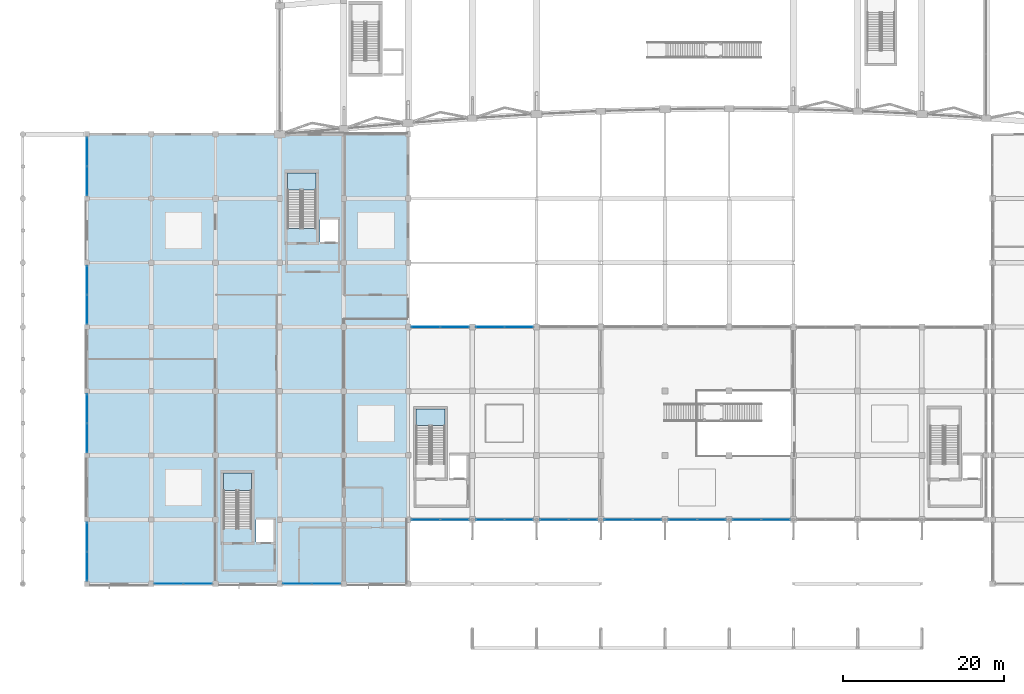
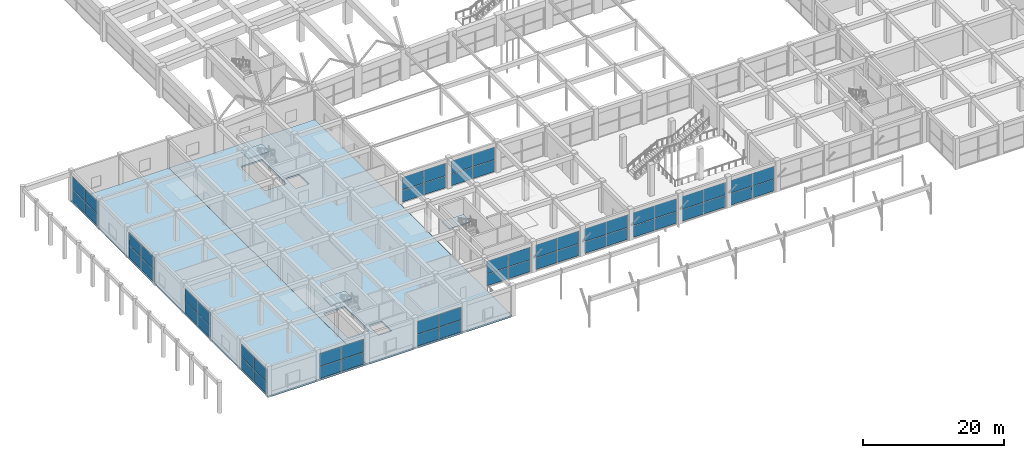
# One storey, part 41 of 69: 56 plates, 5 slabs, 17 elements without a shape of their own.
"""IFC4 building model written with IfcOpenShell, lengths in metres."""

from ifc_helpers import new_model, si_unit, direction, frame, origin, origin_2d, place, context, subcontext, project, spatial, polyline, rectangle, outline, extrude, material, layer, layer_set, type_object, element, aggregate, save


model = new_model("IFC4")

# Units and contexts
model_context = context("Model", 3, precision=1e-05, world=origin(), true_north=direction((0.0, 1.0)))
body_context = subcontext(model_context, "Body", "Model", "MODEL_VIEW")
ifc_project = project(units=[si_unit("LENGTHUNIT", "METRE"), si_unit("AREAUNIT", "SQUARE_METRE"), si_unit("VOLUMEUNIT", "CUBIC_METRE"), si_unit("PLANEANGLEUNIT", "RADIAN"), si_unit("MASSUNIT", "GRAM", prefix="KILO")], contexts=[model_context])

# Site, building, storey
site_placement = place(None, origin())
site = spatial("IfcSite", under=ifc_project, at=site_placement, CompositionType="ELEMENT")
building_placement = place(site_placement, origin())
building = spatial("IfcBuilding", under=site, at=building_placement, Name="Kenh Van Central Station", CompositionType="ELEMENT")
storey_placement = place(building_placement, frame((0.0, 0.0, 5.39990234375)))
storey = spatial("IfcBuildingStorey", under=building, at=storey_placement, Name="L01", CompositionType="ELEMENT", Elevation=5.39990234375)

# Curtain wall, plates
ifc_material_1 = material(Name="Champagne anodised aluminium", Category="aluminium")
curtain_wall_type_1 = type_object("IfcCurtainWallType", Name="CW-RETL-B", PredefinedType="NOTDEFINED", material=ifc_material_1)
curtain_wall_1_placement = place(storey_placement, origin())
curtain_wall_1 = element("IfcCurtainWall", 1, at=curtain_wall_1_placement, inside=storey, type_object=curtain_wall_type_1, Name="L01 curtain wall 124", PredefinedType="NOTDEFINED")
ifc_material_2 = material(Name="Double-glazed low-E laminated solar glass", Category="glass")
ifc_layer_1 = layer(ifc_material_2, 0.02392578125, Name="Double-glazed low-E laminated solar glass")
ifc_layer_set_1 = layer_set([ifc_layer_1], Name="Double-glazed low-E laminated solar glass")
plate_type_1 = type_object("IfcPlateType", Name="CWP-IGU-24", PredefinedType="CURTAIN_PANEL", material=ifc_layer_set_1)
plate_1_placement = place(storey_placement, frame((18.177490234375, 8.0, 0.072021484375), z_axis=(0.0, 0.0, 1.0), x_axis=(1.0, 0.0, 0.0)))
plate_1 = element("IfcPlate", 2, at=plate_1_placement, type_object=plate_type_1, Name="CW-06 panel 1.1", PredefinedType="CURTAIN_PANEL", context=body_context, shape_type="SweptSolid", body=[
    extrude(rectangle(XDim=3.534912109375, YDim=0.02392578125, at=origin_2d()), origin(), (0.0, 0.0, 1.0), 2.044921875),
])
plate_2_placement = place(storey_placement, frame((18.177490234375, 8.0, 2.18896484375), z_axis=(0.0, 0.0, 1.0), x_axis=(1.0, 0.0, 0.0)))
plate_2 = element("IfcPlate", 3, at=plate_2_placement, type_object=plate_type_1, Name="CW-06 panel 1.2", PredefinedType="CURTAIN_PANEL", context=body_context, shape_type="SweptSolid", body=[
    extrude(rectangle(XDim=3.534912109375, YDim=0.02392578125, at=origin_2d()), origin(), (0.0, 0.0, 1.0), 2.22412109375),
])
plate_3_placement = place(storey_placement, frame((21.797607421875, 8.0, 0.072021484375), z_axis=(0.0, 0.0, 1.0), x_axis=(1.0, 0.0, 0.0)))
plate_3 = element("IfcPlate", 4, at=plate_3_placement, type_object=plate_type_1, Name="CW-06 panel 2.1", PredefinedType="CURTAIN_PANEL", context=body_context, shape_type="SweptSolid", body=[
    extrude(rectangle(XDim=3.534912109375, YDim=0.02392578125, at=origin_2d()), origin(), (0.0, 0.0, 1.0), 2.044921875),
])
plate_4_placement = place(storey_placement, frame((21.797607421875, 8.0, 2.18896484375), z_axis=(0.0, 0.0, 1.0), x_axis=(1.0, 0.0, 0.0)))
plate_4 = element("IfcPlate", 5, at=plate_4_placement, type_object=plate_type_1, Name="CW-06 panel 2.2", PredefinedType="CURTAIN_PANEL", context=body_context, shape_type="SweptSolid", body=[
    extrude(rectangle(XDim=3.534912109375, YDim=0.02392578125, at=origin_2d()), origin(), (0.0, 0.0, 1.0), 2.22412109375),
])
aggregate(curtain_wall_1, [plate_1, plate_2, plate_3, plate_4])

curtain_wall_2_placement = place(storey_placement, origin())
curtain_wall_2 = element("IfcCurtainWall", 6, at=curtain_wall_2_placement, inside=storey, type_object=curtain_wall_type_1, Name="L01 curtain wall 125", PredefinedType="NOTDEFINED")
plate_5_placement = place(storey_placement, frame((34.1962890625, 8.0, 0.072265625), z_axis=(0.0, 0.0, 1.0), x_axis=(1.0, 0.0, 0.0)))
plate_5 = element("IfcPlate", 7, at=plate_5_placement, type_object=plate_type_1, Name="CW-06 panel 1.1", PredefinedType="CURTAIN_PANEL", context=body_context, shape_type="SweptSolid", body=[
    extrude(rectangle(XDim=3.5224609375, YDim=0.02392578125, at=origin_2d()), origin(), (0.0, 0.0, 1.0), 2.023193359375),
])
plate_6_placement = place(storey_placement, frame((34.1962890625, 8.0, 2.167236328125), z_axis=(0.0, 0.0, 1.0), x_axis=(1.0, 0.0, 0.0)))
plate_6 = element("IfcPlate", 8, at=plate_6_placement, type_object=plate_type_1, Name="CW-06 panel 1.2", PredefinedType="CURTAIN_PANEL", context=body_context, shape_type="SweptSolid", body=[
    extrude(rectangle(XDim=3.5224609375, YDim=0.02392578125, at=origin_2d()), origin(), (0.0, 0.0, 1.0), 2.20068359375),
])
plate_7_placement = place(storey_placement, frame((37.8037109375, 8.0, 0.072265625), z_axis=(0.0, 0.0, 1.0), x_axis=(1.0, 0.0, 0.0)))
plate_7 = element("IfcPlate", 9, at=plate_7_placement, type_object=plate_type_1, Name="CW-06 panel 2.1", PredefinedType="CURTAIN_PANEL", context=body_context, shape_type="SweptSolid", body=[
    extrude(rectangle(XDim=3.5224609375, YDim=0.02392578125, at=origin_2d()), origin(), (0.0, 0.0, 1.0), 2.023193359375),
])
plate_8_placement = place(storey_placement, frame((37.8037109375, 8.0, 2.167236328125), z_axis=(0.0, 0.0, 1.0), x_axis=(1.0, 0.0, 0.0)))
plate_8 = element("IfcPlate", 10, at=plate_8_placement, type_object=plate_type_1, Name="CW-06 panel 2.2", PredefinedType="CURTAIN_PANEL", context=body_context, shape_type="SweptSolid", body=[
    extrude(rectangle(XDim=3.5224609375, YDim=0.02392578125, at=origin_2d()), origin(), (0.0, 0.0, 1.0), 2.20068359375),
])
aggregate(curtain_wall_2, [plate_5, plate_6, plate_7, plate_8])

curtain_wall_type_2 = type_object("IfcCurtainWallType", Name="CW-RETL-A", PredefinedType="NOTDEFINED", material=ifc_material_1)
curtain_wall_3_placement = place(storey_placement, origin())
curtain_wall_3 = element("IfcCurtainWall", 11, at=curtain_wall_3_placement, inside=storey, type_object=curtain_wall_type_2, Name="L01 curtain wall 126", PredefinedType="NOTDEFINED")
ifc_layer_2 = layer(ifc_material_2, 0.02587890625, Name="Double-glazed low-E laminated solar glass")
ifc_layer_set_2 = layer_set([ifc_layer_2], Name="Double-glazed low-E laminated solar glass")
plate_type_2 = type_object("IfcPlateType", Name="CWP-IGU-26", PredefinedType="CURTAIN_PANEL", material=ifc_layer_set_2)
plate_9_placement = place(storey_placement, frame((8.0, 61.816162109375, 0.072021484375), z_axis=(0.0, 0.0, 1.0), x_axis=(0.0, -1.0, 0.0)))
plate_9 = element("IfcPlate", 12, at=plate_9_placement, type_object=plate_type_2, Name="CW-05 panel 1.1", PredefinedType="CURTAIN_PANEL", context=body_context, shape_type="SweptSolid", body=[
    extrude(rectangle(XDim=3.547607421875, YDim=0.02587890625, at=origin_2d()), origin(), (0.0, 0.0, 1.0), 2.04248046875),
])
plate_10_placement = place(storey_placement, frame((8.0, 61.816162109375, 2.1865234375), z_axis=(0.0, 0.0, 1.0), x_axis=(0.0, -1.0, 0.0)))
plate_10 = element("IfcPlate", 13, at=plate_10_placement, type_object=plate_type_2, Name="CW-05 panel 1.2", PredefinedType="CURTAIN_PANEL", context=body_context, shape_type="SweptSolid", body=[
    extrude(rectangle(XDim=3.547607421875, YDim=0.02587890625, at=origin_2d()), origin(), (0.0, 0.0, 1.0), 2.2216796875),
])
plate_11_placement = place(storey_placement, frame((8.0, 58.183837890625, 0.072021484375), z_axis=(0.0, 0.0, 1.0), x_axis=(0.0, -1.0, 0.0)))
plate_11 = element("IfcPlate", 14, at=plate_11_placement, type_object=plate_type_2, Name="CW-05 panel 2.1", PredefinedType="CURTAIN_PANEL", context=body_context, shape_type="SweptSolid", body=[
    extrude(rectangle(XDim=3.547607421875, YDim=0.02587890625, at=origin_2d()), origin(), (0.0, 0.0, 1.0), 2.04248046875),
])
plate_12_placement = place(storey_placement, frame((8.0, 58.183837890625, 2.1865234375), z_axis=(0.0, 0.0, 1.0), x_axis=(0.0, -1.0, 0.0)))
plate_12 = element("IfcPlate", 15, at=plate_12_placement, type_object=plate_type_2, Name="CW-05 panel 2.2", PredefinedType="CURTAIN_PANEL", context=body_context, shape_type="SweptSolid", body=[
    extrude(rectangle(XDim=3.547607421875, YDim=0.02587890625, at=origin_2d()), origin(), (0.0, 0.0, 1.0), 2.2216796875),
])
aggregate(curtain_wall_3, [plate_9, plate_10, plate_11, plate_12])

curtain_wall_4_placement = place(storey_placement, origin())
curtain_wall_4 = element("IfcCurtainWall", 16, at=curtain_wall_4_placement, inside=storey, type_object=curtain_wall_type_2, Name="L01 curtain wall 127", PredefinedType="NOTDEFINED")
plate_13_placement = place(storey_placement, frame((8.0, 45.816162109375, 0.072021484375), z_axis=(0.0, 0.0, 1.0), x_axis=(0.0, -1.0, 0.0)))
plate_13 = element("IfcPlate", 17, at=plate_13_placement, type_object=plate_type_2, Name="CW-05 panel 1.1", PredefinedType="CURTAIN_PANEL", context=body_context, shape_type="SweptSolid", body=[
    extrude(rectangle(XDim=3.547607421875, YDim=0.02587890625, at=origin_2d()), origin(), (0.0, 0.0, 1.0), 2.044921875),
])
plate_14_placement = place(storey_placement, frame((8.0, 45.816162109375, 2.18896484375), z_axis=(0.0, 0.0, 1.0), x_axis=(0.0, -1.0, 0.0)))
plate_14 = element("IfcPlate", 18, at=plate_14_placement, type_object=plate_type_2, Name="CW-05 panel 1.2", PredefinedType="CURTAIN_PANEL", context=body_context, shape_type="SweptSolid", body=[
    extrude(rectangle(XDim=3.547607421875, YDim=0.02587890625, at=origin_2d()), origin(), (0.0, 0.0, 1.0), 2.22412109375),
])
plate_15_placement = place(storey_placement, frame((8.0, 42.183837890625, 0.072021484375), z_axis=(0.0, 0.0, 1.0), x_axis=(0.0, -1.0, 0.0)))
plate_15 = element("IfcPlate", 19, at=plate_15_placement, type_object=plate_type_2, Name="CW-05 panel 2.1", PredefinedType="CURTAIN_PANEL", context=body_context, shape_type="SweptSolid", body=[
    extrude(rectangle(XDim=3.547607421875, YDim=0.02587890625, at=origin_2d()), origin(), (0.0, 0.0, 1.0), 2.044921875),
])
plate_16_placement = place(storey_placement, frame((8.0, 42.183837890625, 2.18896484375), z_axis=(0.0, 0.0, 1.0), x_axis=(0.0, -1.0, 0.0)))
plate_16 = element("IfcPlate", 20, at=plate_16_placement, type_object=plate_type_2, Name="CW-05 panel 2.2", PredefinedType="CURTAIN_PANEL", context=body_context, shape_type="SweptSolid", body=[
    extrude(rectangle(XDim=3.547607421875, YDim=0.02587890625, at=origin_2d()), origin(), (0.0, 0.0, 1.0), 2.22412109375),
])
aggregate(curtain_wall_4, [plate_13, plate_14, plate_15, plate_16])

curtain_wall_5_placement = place(storey_placement, origin())
curtain_wall_5 = element("IfcCurtainWall", 21, at=curtain_wall_5_placement, inside=storey, type_object=curtain_wall_type_2, Name="L01 curtain wall 128", PredefinedType="NOTDEFINED")
plate_17_placement = place(storey_placement, frame((8.0, 29.816162109375, 0.072021484375), z_axis=(0.0, 0.0, 1.0), x_axis=(0.0, -1.0, 0.0)))
plate_17 = element("IfcPlate", 22, at=plate_17_placement, type_object=plate_type_2, Name="CW-05 panel 1.1", PredefinedType="CURTAIN_PANEL", context=body_context, shape_type="SweptSolid", body=[
    extrude(rectangle(XDim=3.547607421875, YDim=0.02587890625, at=origin_2d()), origin(), (0.0, 0.0, 1.0), 2.044921875),
])
plate_18_placement = place(storey_placement, frame((8.0, 29.816162109375, 2.18896484375), z_axis=(0.0, 0.0, 1.0), x_axis=(0.0, -1.0, 0.0)))
plate_18 = element("IfcPlate", 23, at=plate_18_placement, type_object=plate_type_2, Name="CW-05 panel 1.2", PredefinedType="CURTAIN_PANEL", context=body_context, shape_type="SweptSolid", body=[
    extrude(rectangle(XDim=3.547607421875, YDim=0.02587890625, at=origin_2d()), origin(), (0.0, 0.0, 1.0), 2.22412109375),
])
plate_19_placement = place(storey_placement, frame((8.0, 26.183837890625, 0.072021484375), z_axis=(0.0, 0.0, 1.0), x_axis=(0.0, -1.0, 0.0)))
plate_19 = element("IfcPlate", 24, at=plate_19_placement, type_object=plate_type_2, Name="CW-05 panel 2.1", PredefinedType="CURTAIN_PANEL", context=body_context, shape_type="SweptSolid", body=[
    extrude(rectangle(XDim=3.547607421875, YDim=0.02587890625, at=origin_2d()), origin(), (0.0, 0.0, 1.0), 2.044921875),
])
plate_20_placement = place(storey_placement, frame((8.0, 26.183837890625, 2.18896484375), z_axis=(0.0, 0.0, 1.0), x_axis=(0.0, -1.0, 0.0)))
plate_20 = element("IfcPlate", 25, at=plate_20_placement, type_object=plate_type_2, Name="CW-05 panel 2.2", PredefinedType="CURTAIN_PANEL", context=body_context, shape_type="SweptSolid", body=[
    extrude(rectangle(XDim=3.547607421875, YDim=0.02587890625, at=origin_2d()), origin(), (0.0, 0.0, 1.0), 2.22412109375),
])
aggregate(curtain_wall_5, [plate_17, plate_18, plate_19, plate_20])

curtain_wall_6_placement = place(storey_placement, origin())
curtain_wall_6 = element("IfcCurtainWall", 26, at=curtain_wall_6_placement, inside=storey, type_object=curtain_wall_type_2, Name="L01 curtain wall 129", PredefinedType="NOTDEFINED")
plate_21_placement = place(storey_placement, frame((8.0, 13.816162109375, 0.072021484375), z_axis=(0.0, 0.0, 1.0), x_axis=(0.0, -1.0, 0.0)))
plate_21 = element("IfcPlate", 27, at=plate_21_placement, type_object=plate_type_2, Name="CW-05 panel 1.1", PredefinedType="CURTAIN_PANEL", context=body_context, shape_type="SweptSolid", body=[
    extrude(rectangle(XDim=3.547607421875, YDim=0.02587890625, at=origin_2d()), origin(), (0.0, 0.0, 1.0), 2.044921875),
])
plate_22_placement = place(storey_placement, frame((8.0, 13.816162109375, 2.18896484375), z_axis=(0.0, 0.0, 1.0), x_axis=(0.0, -1.0, 0.0)))
plate_22 = element("IfcPlate", 28, at=plate_22_placement, type_object=plate_type_2, Name="CW-05 panel 1.2", PredefinedType="CURTAIN_PANEL", context=body_context, shape_type="SweptSolid", body=[
    extrude(rectangle(XDim=3.547607421875, YDim=0.02587890625, at=origin_2d()), origin(), (0.0, 0.0, 1.0), 2.22412109375),
])
plate_23_placement = place(storey_placement, frame((8.0, 10.183837890625, 0.072021484375), z_axis=(0.0, 0.0, 1.0), x_axis=(0.0, -1.0, 0.0)))
plate_23 = element("IfcPlate", 29, at=plate_23_placement, type_object=plate_type_2, Name="CW-05 panel 2.1", PredefinedType="CURTAIN_PANEL", context=body_context, shape_type="SweptSolid", body=[
    extrude(rectangle(XDim=3.547607421875, YDim=0.02587890625, at=origin_2d()), origin(), (0.0, 0.0, 1.0), 2.044921875),
])
plate_24_placement = place(storey_placement, frame((8.0, 10.183837890625, 2.18896484375), z_axis=(0.0, 0.0, 1.0), x_axis=(0.0, -1.0, 0.0)))
plate_24 = element("IfcPlate", 30, at=plate_24_placement, type_object=plate_type_2, Name="CW-05 panel 2.2", PredefinedType="CURTAIN_PANEL", context=body_context, shape_type="SweptSolid", body=[
    extrude(rectangle(XDim=3.547607421875, YDim=0.02587890625, at=origin_2d()), origin(), (0.0, 0.0, 1.0), 2.22412109375),
])
aggregate(curtain_wall_6, [plate_21, plate_22, plate_23, plate_24])

curtain_wall_type_3 = type_object("IfcCurtainWallType", Name="CW-CONC-B", PredefinedType="NOTDEFINED", material=ifc_material_1)
curtain_wall_7_placement = place(storey_placement, origin())
curtain_wall_7 = element("IfcCurtainWall", 31, at=curtain_wall_7_placement, inside=storey, type_object=curtain_wall_type_3, Name="L01 curtain wall 119", PredefinedType="NOTDEFINED")
ifc_layer_3 = layer(ifc_material_2, 0.028076171875, Name="Double-glazed low-E laminated solar glass")
ifc_layer_set_3 = layer_set([ifc_layer_3], Name="Double-glazed low-E laminated solar glass")
plate_type_3 = type_object("IfcPlateType", Name="CWP-IGU-28", PredefinedType="CURTAIN_PANEL", material=ifc_layer_set_3)
plate_25_placement = place(storey_placement, frame((61.7919921875, 40.0, 0.072265625), z_axis=(0.0, 0.0, 1.0), x_axis=(-1.0, 0.0, 0.0)))
plate_25 = element("IfcPlate", 32, at=plate_25_placement, type_object=plate_type_3, Name="CW-04 panel 1.1", PredefinedType="CURTAIN_PANEL", context=body_context, shape_type="SweptSolid", body=[
    extrude(rectangle(XDim=3.501953125, YDim=0.028076171875, at=origin_2d()), origin(), (0.0, 0.0, 1.0), 2.018310546875),
])
plate_26_placement = place(storey_placement, frame((61.7919921875, 40.0, 2.16259765625), z_axis=(0.0, 0.0, 1.0), x_axis=(-1.0, 0.0, 0.0)))
plate_26 = element("IfcPlate", 33, at=plate_26_placement, type_object=plate_type_3, Name="CW-04 panel 1.2", PredefinedType="CURTAIN_PANEL", context=body_context, shape_type="SweptSolid", body=[
    extrude(rectangle(XDim=3.501953125, YDim=0.028076171875, at=origin_2d()), origin(), (0.0, 0.0, 1.0), 2.195556640625),
])
plate_27_placement = place(storey_placement, frame((58.2080078125, 40.0, 0.072265625), z_axis=(0.0, 0.0, 1.0), x_axis=(-1.0, 0.0, 0.0)))
plate_27 = element("IfcPlate", 34, at=plate_27_placement, type_object=plate_type_3, Name="CW-04 panel 2.1", PredefinedType="CURTAIN_PANEL", context=body_context, shape_type="SweptSolid", body=[
    extrude(rectangle(XDim=3.501953125, YDim=0.028076171875, at=origin_2d()), origin(), (0.0, 0.0, 1.0), 2.018310546875),
])
plate_28_placement = place(storey_placement, frame((58.2080078125, 40.0, 2.16259765625), z_axis=(0.0, 0.0, 1.0), x_axis=(-1.0, 0.0, 0.0)))
plate_28 = element("IfcPlate", 35, at=plate_28_placement, type_object=plate_type_3, Name="CW-04 panel 2.2", PredefinedType="CURTAIN_PANEL", context=body_context, shape_type="SweptSolid", body=[
    extrude(rectangle(XDim=3.501953125, YDim=0.028076171875, at=origin_2d()), origin(), (0.0, 0.0, 1.0), 2.195556640625),
])
aggregate(curtain_wall_7, [plate_25, plate_26, plate_27, plate_28])

curtain_wall_8_placement = place(storey_placement, origin())
curtain_wall_8 = element("IfcCurtainWall", 36, at=curtain_wall_8_placement, inside=storey, type_object=curtain_wall_type_3, Name="L01 curtain wall 120", PredefinedType="NOTDEFINED")
plate_29_placement = place(storey_placement, frame((53.78564453125, 40.0, 0.072265625), z_axis=(0.0, 0.0, 1.0), x_axis=(-1.0, 0.0, 0.0)))
plate_29 = element("IfcPlate", 37, at=plate_29_placement, type_object=plate_type_3, Name="CW-04 panel 1.1", PredefinedType="CURTAIN_PANEL", context=body_context, shape_type="SweptSolid", body=[
    extrude(rectangle(XDim=3.514404296875, YDim=0.028076171875, at=origin_2d()), origin(), (0.0, 0.0, 1.0), 2.018310546875),
])
plate_30_placement = place(storey_placement, frame((53.78564453125, 40.0, 2.16259765625), z_axis=(0.0, 0.0, 1.0), x_axis=(-1.0, 0.0, 0.0)))
plate_30 = element("IfcPlate", 38, at=plate_30_placement, type_object=plate_type_3, Name="CW-04 panel 1.2", PredefinedType="CURTAIN_PANEL", context=body_context, shape_type="SweptSolid", body=[
    extrude(rectangle(XDim=3.514404296875, YDim=0.028076171875, at=origin_2d()), origin(), (0.0, 0.0, 1.0), 2.195556640625),
])
plate_31_placement = place(storey_placement, frame((50.189208984375, 40.0, 0.072265625), z_axis=(0.0, 0.0, 1.0), x_axis=(-1.0, 0.0, 0.0)))
plate_31 = element("IfcPlate", 39, at=plate_31_placement, type_object=plate_type_3, Name="CW-04 panel 2.1", PredefinedType="CURTAIN_PANEL", context=body_context, shape_type="SweptSolid", body=[
    extrude(rectangle(XDim=3.514404296875, YDim=0.028076171875, at=origin_2d()), origin(), (0.0, 0.0, 1.0), 2.018310546875),
])
plate_32_placement = place(storey_placement, frame((50.189208984375, 40.0, 2.16259765625), z_axis=(0.0, 0.0, 1.0), x_axis=(-1.0, 0.0, 0.0)))
plate_32 = element("IfcPlate", 40, at=plate_32_placement, type_object=plate_type_3, Name="CW-04 panel 2.2", PredefinedType="CURTAIN_PANEL", context=body_context, shape_type="SweptSolid", body=[
    extrude(rectangle(XDim=3.514404296875, YDim=0.028076171875, at=origin_2d()), origin(), (0.0, 0.0, 1.0), 2.195556640625),
])
aggregate(curtain_wall_8, [plate_29, plate_30, plate_31, plate_32])

curtain_wall_type_4 = type_object("IfcCurtainWallType", Name="CW-CONC-A", PredefinedType="NOTDEFINED", material=ifc_material_1)
curtain_wall_9_placement = place(storey_placement, origin())
curtain_wall_9 = element("IfcCurtainWall", 41, at=curtain_wall_9_placement, inside=storey, type_object=curtain_wall_type_4, Name="L01 curtain wall 103", PredefinedType="NOTDEFINED")
ifc_layer_4 = layer(ifc_material_2, 0.030029296875, Name="Double-glazed low-E laminated solar glass")
ifc_layer_set_4 = layer_set([ifc_layer_4], Name="Double-glazed low-E laminated solar glass")
plate_type_4 = type_object("IfcPlateType", Name="CWP-IGU-30", PredefinedType="CURTAIN_PANEL", material=ifc_layer_set_4)
plate_33_placement = place(storey_placement, frame((50.189208984375, 16.0, 0.072265625), z_axis=(0.0, 0.0, 1.0), x_axis=(1.0, 0.0, 0.0)))
plate_33 = element("IfcPlate", 42, at=plate_33_placement, type_object=plate_type_4, Name="CW-03 panel 1.1", PredefinedType="CURTAIN_PANEL", context=body_context, shape_type="SweptSolid", body=[
    extrude(rectangle(XDim=3.514404296875, YDim=0.030029296875, at=origin_2d()), origin(), (0.0, 0.0, 1.0), 2.018310546875),
])
plate_34_placement = place(storey_placement, frame((50.189208984375, 16.0, 2.16259765625), z_axis=(0.0, 0.0, 1.0), x_axis=(1.0, 0.0, 0.0)))
plate_34 = element("IfcPlate", 43, at=plate_34_placement, type_object=plate_type_4, Name="CW-03 panel 1.2", PredefinedType="CURTAIN_PANEL", context=body_context, shape_type="SweptSolid", body=[
    extrude(rectangle(XDim=3.514404296875, YDim=0.030029296875, at=origin_2d()), origin(), (0.0, 0.0, 1.0), 2.195556640625),
])
plate_35_placement = place(storey_placement, frame((53.78564453125, 16.0, 0.072265625), z_axis=(0.0, 0.0, 1.0), x_axis=(1.0, 0.0, 0.0)))
plate_35 = element("IfcPlate", 44, at=plate_35_placement, type_object=plate_type_4, Name="CW-03 panel 2.1", PredefinedType="CURTAIN_PANEL", context=body_context, shape_type="SweptSolid", body=[
    extrude(rectangle(XDim=3.514404296875, YDim=0.030029296875, at=origin_2d()), origin(), (0.0, 0.0, 1.0), 2.018310546875),
])
plate_36_placement = place(storey_placement, frame((53.78564453125, 16.0, 2.16259765625), z_axis=(0.0, 0.0, 1.0), x_axis=(1.0, 0.0, 0.0)))
plate_36 = element("IfcPlate", 45, at=plate_36_placement, type_object=plate_type_4, Name="CW-03 panel 2.2", PredefinedType="CURTAIN_PANEL", context=body_context, shape_type="SweptSolid", body=[
    extrude(rectangle(XDim=3.514404296875, YDim=0.030029296875, at=origin_2d()), origin(), (0.0, 0.0, 1.0), 2.195556640625),
])
aggregate(curtain_wall_9, [plate_33, plate_34, plate_35, plate_36])

curtain_wall_10_placement = place(storey_placement, origin())
curtain_wall_10 = element("IfcCurtainWall", 46, at=curtain_wall_10_placement, inside=storey, type_object=curtain_wall_type_4, Name="L01 curtain wall 104", PredefinedType="NOTDEFINED")
plate_37_placement = place(storey_placement, frame((58.2080078125, 16.0, 0.072265625), z_axis=(0.0, 0.0, 1.0), x_axis=(1.0, 0.0, 0.0)))
plate_37 = element("IfcPlate", 47, at=plate_37_placement, type_object=plate_type_4, Name="CW-03 panel 1.1", PredefinedType="CURTAIN_PANEL", context=body_context, shape_type="SweptSolid", body=[
    extrude(rectangle(XDim=3.501953125, YDim=0.030029296875, at=origin_2d()), origin(), (0.0, 0.0, 1.0), 2.018310546875),
])
plate_38_placement = place(storey_placement, frame((58.2080078125, 16.0, 2.16259765625), z_axis=(0.0, 0.0, 1.0), x_axis=(1.0, 0.0, 0.0)))
plate_38 = element("IfcPlate", 48, at=plate_38_placement, type_object=plate_type_4, Name="CW-03 panel 1.2", PredefinedType="CURTAIN_PANEL", context=body_context, shape_type="SweptSolid", body=[
    extrude(rectangle(XDim=3.501953125, YDim=0.030029296875, at=origin_2d()), origin(), (0.0, 0.0, 1.0), 2.195556640625),
])
plate_39_placement = place(storey_placement, frame((61.7919921875, 16.0, 0.072265625), z_axis=(0.0, 0.0, 1.0), x_axis=(1.0, 0.0, 0.0)))
plate_39 = element("IfcPlate", 49, at=plate_39_placement, type_object=plate_type_4, Name="CW-03 panel 2.1", PredefinedType="CURTAIN_PANEL", context=body_context, shape_type="SweptSolid", body=[
    extrude(rectangle(XDim=3.501953125, YDim=0.030029296875, at=origin_2d()), origin(), (0.0, 0.0, 1.0), 2.018310546875),
])
plate_40_placement = place(storey_placement, frame((61.7919921875, 16.0, 2.16259765625), z_axis=(0.0, 0.0, 1.0), x_axis=(1.0, 0.0, 0.0)))
plate_40 = element("IfcPlate", 50, at=plate_40_placement, type_object=plate_type_4, Name="CW-03 panel 2.2", PredefinedType="CURTAIN_PANEL", context=body_context, shape_type="SweptSolid", body=[
    extrude(rectangle(XDim=3.501953125, YDim=0.030029296875, at=origin_2d()), origin(), (0.0, 0.0, 1.0), 2.195556640625),
])
aggregate(curtain_wall_10, [plate_37, plate_38, plate_39, plate_40])

curtain_wall_11_placement = place(storey_placement, origin())
curtain_wall_11 = element("IfcCurtainWall", 51, at=curtain_wall_11_placement, inside=storey, type_object=curtain_wall_type_4, Name="L01 curtain wall 105", PredefinedType="NOTDEFINED")
plate_41_placement = place(storey_placement, frame((66.2080078125, 16.0, 0.072265625), z_axis=(0.0, 0.0, 1.0), x_axis=(1.0, 0.0, 0.0)))
plate_41 = element("IfcPlate", 52, at=plate_41_placement, type_object=plate_type_4, Name="CW-03 panel 1.1", PredefinedType="CURTAIN_PANEL", context=body_context, shape_type="SweptSolid", body=[
    extrude(rectangle(XDim=3.501953125, YDim=0.030029296875, at=origin_2d()), origin(), (0.0, 0.0, 1.0), 2.018310546875),
])
plate_42_placement = place(storey_placement, frame((66.2080078125, 16.0, 2.16259765625), z_axis=(0.0, 0.0, 1.0), x_axis=(1.0, 0.0, 0.0)))
plate_42 = element("IfcPlate", 53, at=plate_42_placement, type_object=plate_type_4, Name="CW-03 panel 1.2", PredefinedType="CURTAIN_PANEL", context=body_context, shape_type="SweptSolid", body=[
    extrude(rectangle(XDim=3.501953125, YDim=0.030029296875, at=origin_2d()), origin(), (0.0, 0.0, 1.0), 2.195556640625),
])
plate_43_placement = place(storey_placement, frame((69.7919921875, 16.0, 0.072265625), z_axis=(0.0, 0.0, 1.0), x_axis=(1.0, 0.0, 0.0)))
plate_43 = element("IfcPlate", 54, at=plate_43_placement, type_object=plate_type_4, Name="CW-03 panel 2.1", PredefinedType="CURTAIN_PANEL", context=body_context, shape_type="SweptSolid", body=[
    extrude(rectangle(XDim=3.501953125, YDim=0.030029296875, at=origin_2d()), origin(), (0.0, 0.0, 1.0), 2.018310546875),
])
plate_44_placement = place(storey_placement, frame((69.7919921875, 16.0, 2.16259765625), z_axis=(0.0, 0.0, 1.0), x_axis=(1.0, 0.0, 0.0)))
plate_44 = element("IfcPlate", 55, at=plate_44_placement, type_object=plate_type_4, Name="CW-03 panel 2.2", PredefinedType="CURTAIN_PANEL", context=body_context, shape_type="SweptSolid", body=[
    extrude(rectangle(XDim=3.501953125, YDim=0.030029296875, at=origin_2d()), origin(), (0.0, 0.0, 1.0), 2.195556640625),
])
aggregate(curtain_wall_11, [plate_41, plate_42, plate_43, plate_44])

curtain_wall_12_placement = place(storey_placement, origin())
curtain_wall_12 = element("IfcCurtainWall", 56, at=curtain_wall_12_placement, inside=storey, type_object=curtain_wall_type_4, Name="L01 curtain wall 106", PredefinedType="NOTDEFINED")
plate_45_placement = place(storey_placement, frame((74.2080078125, 16.0, 0.072265625), z_axis=(0.0, 0.0, 1.0), x_axis=(1.0, 0.0, 0.0)))
plate_45 = element("IfcPlate", 57, at=plate_45_placement, type_object=plate_type_4, Name="CW-03 panel 1.1", PredefinedType="CURTAIN_PANEL", context=body_context, shape_type="SweptSolid", body=[
    extrude(rectangle(XDim=3.501953125, YDim=0.030029296875, at=origin_2d()), origin(), (0.0, 0.0, 1.0), 2.018310546875),
])
plate_46_placement = place(storey_placement, frame((74.2080078125, 16.0, 2.16259765625), z_axis=(0.0, 0.0, 1.0), x_axis=(1.0, 0.0, 0.0)))
plate_46 = element("IfcPlate", 58, at=plate_46_placement, type_object=plate_type_4, Name="CW-03 panel 1.2", PredefinedType="CURTAIN_PANEL", context=body_context, shape_type="SweptSolid", body=[
    extrude(rectangle(XDim=3.501953125, YDim=0.030029296875, at=origin_2d()), origin(), (0.0, 0.0, 1.0), 2.195556640625),
])
plate_47_placement = place(storey_placement, frame((77.7919921875, 16.0, 0.072265625), z_axis=(0.0, 0.0, 1.0), x_axis=(1.0, 0.0, 0.0)))
plate_47 = element("IfcPlate", 59, at=plate_47_placement, type_object=plate_type_4, Name="CW-03 panel 2.1", PredefinedType="CURTAIN_PANEL", context=body_context, shape_type="SweptSolid", body=[
    extrude(rectangle(XDim=3.501953125, YDim=0.030029296875, at=origin_2d()), origin(), (0.0, 0.0, 1.0), 2.018310546875),
])
plate_48_placement = place(storey_placement, frame((77.7919921875, 16.0, 2.16259765625), z_axis=(0.0, 0.0, 1.0), x_axis=(1.0, 0.0, 0.0)))
plate_48 = element("IfcPlate", 60, at=plate_48_placement, type_object=plate_type_4, Name="CW-03 panel 2.2", PredefinedType="CURTAIN_PANEL", context=body_context, shape_type="SweptSolid", body=[
    extrude(rectangle(XDim=3.501953125, YDim=0.030029296875, at=origin_2d()), origin(), (0.0, 0.0, 1.0), 2.195556640625),
])
aggregate(curtain_wall_12, [plate_45, plate_46, plate_47, plate_48])

curtain_wall_13_placement = place(storey_placement, origin())
curtain_wall_13 = element("IfcCurtainWall", 61, at=curtain_wall_13_placement, inside=storey, type_object=curtain_wall_type_4, Name="L01 curtain wall 107", PredefinedType="NOTDEFINED")
plate_49_placement = place(storey_placement, frame((82.2080078125, 16.0, 0.072265625), z_axis=(0.0, 0.0, 1.0), x_axis=(1.0, 0.0, 0.0)))
plate_49 = element("IfcPlate", 62, at=plate_49_placement, type_object=plate_type_4, Name="CW-03 panel 1.1", PredefinedType="CURTAIN_PANEL", context=body_context, shape_type="SweptSolid", body=[
    extrude(rectangle(XDim=3.501953125, YDim=0.030029296875, at=origin_2d()), origin(), (0.0, 0.0, 1.0), 2.018310546875),
])
plate_50_placement = place(storey_placement, frame((82.2080078125, 16.0, 2.16259765625), z_axis=(0.0, 0.0, 1.0), x_axis=(1.0, 0.0, 0.0)))
plate_50 = element("IfcPlate", 63, at=plate_50_placement, type_object=plate_type_4, Name="CW-03 panel 1.2", PredefinedType="CURTAIN_PANEL", context=body_context, shape_type="SweptSolid", body=[
    extrude(rectangle(XDim=3.501953125, YDim=0.030029296875, at=origin_2d()), origin(), (0.0, 0.0, 1.0), 2.195556640625),
])
plate_51_placement = place(storey_placement, frame((85.7919921875, 16.0, 0.072265625), z_axis=(0.0, 0.0, 1.0), x_axis=(1.0, 0.0, 0.0)))
plate_51 = element("IfcPlate", 64, at=plate_51_placement, type_object=plate_type_4, Name="CW-03 panel 2.1", PredefinedType="CURTAIN_PANEL", context=body_context, shape_type="SweptSolid", body=[
    extrude(rectangle(XDim=3.501953125, YDim=0.030029296875, at=origin_2d()), origin(), (0.0, 0.0, 1.0), 2.018310546875),
])
plate_52_placement = place(storey_placement, frame((85.7919921875, 16.0, 2.16259765625), z_axis=(0.0, 0.0, 1.0), x_axis=(1.0, 0.0, 0.0)))
plate_52 = element("IfcPlate", 65, at=plate_52_placement, type_object=plate_type_4, Name="CW-03 panel 2.2", PredefinedType="CURTAIN_PANEL", context=body_context, shape_type="SweptSolid", body=[
    extrude(rectangle(XDim=3.501953125, YDim=0.030029296875, at=origin_2d()), origin(), (0.0, 0.0, 1.0), 2.195556640625),
])
aggregate(curtain_wall_13, [plate_49, plate_50, plate_51, plate_52])

curtain_wall_14_placement = place(storey_placement, origin())
curtain_wall_14 = element("IfcCurtainWall", 66, at=curtain_wall_14_placement, inside=storey, type_object=curtain_wall_type_4, Name="L01 curtain wall 108", PredefinedType="NOTDEFINED")
plate_53_placement = place(storey_placement, frame((90.2080078125, 16.0, 0.072265625), z_axis=(0.0, 0.0, 1.0), x_axis=(1.0, 0.0, 0.0)))
plate_53 = element("IfcPlate", 67, at=plate_53_placement, type_object=plate_type_4, Name="CW-03 panel 1.1", PredefinedType="CURTAIN_PANEL", context=body_context, shape_type="SweptSolid", body=[
    extrude(rectangle(XDim=3.501953125, YDim=0.030029296875, at=origin_2d()), origin(), (0.0, 0.0, 1.0), 2.018310546875),
])
plate_54_placement = place(storey_placement, frame((90.2080078125, 16.0, 2.16259765625), z_axis=(0.0, 0.0, 1.0), x_axis=(1.0, 0.0, 0.0)))
plate_54 = element("IfcPlate", 68, at=plate_54_placement, type_object=plate_type_4, Name="CW-03 panel 1.2", PredefinedType="CURTAIN_PANEL", context=body_context, shape_type="SweptSolid", body=[
    extrude(rectangle(XDim=3.501953125, YDim=0.030029296875, at=origin_2d()), origin(), (0.0, 0.0, 1.0), 2.195556640625),
])
plate_55_placement = place(storey_placement, frame((93.7919921875, 16.0, 0.072265625), z_axis=(0.0, 0.0, 1.0), x_axis=(1.0, 0.0, 0.0)))
plate_55 = element("IfcPlate", 69, at=plate_55_placement, type_object=plate_type_4, Name="CW-03 panel 2.1", PredefinedType="CURTAIN_PANEL", context=body_context, shape_type="SweptSolid", body=[
    extrude(rectangle(XDim=3.501953125, YDim=0.030029296875, at=origin_2d()), origin(), (0.0, 0.0, 1.0), 2.018310546875),
])
plate_56_placement = place(storey_placement, frame((93.7919921875, 16.0, 2.16259765625), z_axis=(0.0, 0.0, 1.0), x_axis=(1.0, 0.0, 0.0)))
plate_56 = element("IfcPlate", 70, at=plate_56_placement, type_object=plate_type_4, Name="CW-03 panel 2.2", PredefinedType="CURTAIN_PANEL", context=body_context, shape_type="SweptSolid", body=[
    extrude(rectangle(XDim=3.501953125, YDim=0.030029296875, at=origin_2d()), origin(), (0.0, 0.0, 1.0), 2.195556640625),
])
aggregate(curtain_wall_14, [plate_53, plate_54, plate_55, plate_56])

# Slabs
ifc_material_3 = material(Name="Concrete C35/45", Category="concrete")
ifc_layer_5 = layer(ifc_material_3, 0.280029296875, Name="Concrete C35/45")
ifc_layer_set_5 = layer_set([ifc_layer_5], Name="Concrete C35/45")
slab_type_1 = type_object("IfcSlabType", Name="SLB-FLR-280", PredefinedType="FLOOR", material=ifc_layer_set_5)
slab_1_placement = place(storey_placement, frame((0.0, 0.0, -0.27978515625)))
element("IfcSlab", 71, at=slab_1_placement, inside=storey, type_object=slab_type_1, Name="L01 slab SLB-L01-WA", PredefinedType="FLOOR", context=body_context, shape_type="SweptSolid", body=[
    extrude(outline(polyline([(8.0, 8.0), (24.0, 8.0), (24.0, 64.0), (8.0, 64.0), (8.0, 8.0)])), origin(), (0.0, 0.0, 1.0), 0.27978515625),
])
slab_2_placement = place(storey_placement, frame((0.0, 0.0, -0.27978515625)))
element("IfcSlab", 72, at=slab_2_placement, inside=storey, type_object=slab_type_1, Name="L01 slab SLB-L01-WB", PredefinedType="FLOOR", context=body_context, shape_type="SweptSolid", body=[
    extrude(outline(polyline([(24.0, 8.0), (47.96240234375, 8.0), (47.96240234375, 64.0), (24.0, 64.0), (24.0, 8.0)]), holes=[polyline([(39.25, 50.60009765625), (37.050048828125, 50.60009765625), (37.050048828125, 53.39990234375), (39.25, 53.39990234375), (39.25, 50.60009765625)]), polyline([(36.5, 52.264892578125), (33.0, 52.264892578125), (33.0, 59.199951171875), (36.5, 59.199951171875), (36.5, 52.264892578125)]), polyline([(31.25, 13.199951171875), (29.050048828125, 13.199951171875), (29.050048828125, 16.0), (31.25, 16.0), (31.25, 13.199951171875)]), polyline([(28.5, 14.864990234375), (25.0, 14.864990234375), (25.0, 21.800048828125), (28.5, 21.800048828125), (28.5, 14.864990234375)])]), origin(), (0.0, 0.0, 1.0), 0.27978515625),
])

# Stair, slab
stair_type_1 = type_object("IfcStairType", Name="STR-DLG-1650", PredefinedType="HALF_TURN_STAIR", material=ifc_material_3)
stair_1_placement = place(storey_placement, origin())
stair_1 = element("IfcStair", 73, at=stair_1_placement, inside=storey, type_object=stair_type_1, Name="L01 West Retail South Exit Core", PredefinedType="HALF_TURN_STAIR")
ifc_layer_6 = layer(ifc_material_3, 0.199951171875, Name="Concrete C35/45")
ifc_layer_set_6 = layer_set([ifc_layer_6], Name="Concrete C35/45")
slab_type_2 = type_object("IfcSlabType", Name="SLB-LAND-200", PredefinedType="LANDING", material=ifc_layer_set_6)
slab_3_placement = place(storey_placement, frame((0.0, 0.0, 2.5)))
slab_3 = element("IfcSlab", 74, at=slab_3_placement, type_object=slab_type_2, Name="ST-01 landing 1", PredefinedType="LANDING", context=body_context, shape_type="SweptSolid", body=[
    extrude(outline(polyline([(28.5, 19.64990234375), (28.5, 21.800048828125), (25.0, 21.800048828125), (25.0, 19.64990234375), (28.5, 19.64990234375)])), origin(), (0.0, 0.0, 1.0), 0.2001953125),
])
aggregate(stair_1, [slab_3])

stair_2_placement = place(storey_placement, origin())
stair_2 = element("IfcStair", 75, at=stair_2_placement, inside=storey, type_object=stair_type_1, Name="L01 West Retail North Exit Core", PredefinedType="HALF_TURN_STAIR")
slab_4_placement = place(storey_placement, frame((0.0, 0.0, 2.5)))
slab_4 = element("IfcSlab", 76, at=slab_4_placement, type_object=slab_type_2, Name="ST-02 landing 1", PredefinedType="LANDING", context=body_context, shape_type="SweptSolid", body=[
    extrude(outline(polyline([(36.5, 57.050048828125), (36.5, 59.199951171875), (33.0, 59.199951171875), (33.0, 57.050048828125), (36.5, 57.050048828125)])), origin(), (0.0, 0.0, 1.0), 0.2001953125),
])
aggregate(stair_2, [slab_4])

stair_type_2 = type_object("IfcStairType", Name="STR-DLG-1700", PredefinedType="HALF_TURN_STAIR", material=ifc_material_3)
stair_3_placement = place(storey_placement, origin())
stair_3 = element("IfcStair", 77, at=stair_3_placement, inside=storey, type_object=stair_type_2, Name="L01 Ticket Hall West Exit Core", PredefinedType="HALF_TURN_STAIR")
slab_5_placement = place(storey_placement, frame((0.0, 0.0, 2.5)))
slab_5 = element("IfcSlab", 78, at=slab_5_placement, type_object=slab_type_2, Name="ST-03 landing 1", PredefinedType="LANDING", context=body_context, shape_type="SweptSolid", body=[
    extrude(outline(polyline([(52.60009765625, 27.699951171875), (52.60009765625, 29.800048828125), (49.0, 29.800048828125), (49.0, 27.699951171875), (52.60009765625, 27.699951171875)])), origin(), (0.0, 0.0, 1.0), 0.2001953125),
])
aggregate(stair_3, [slab_5])

save(model, "model.ifc")
